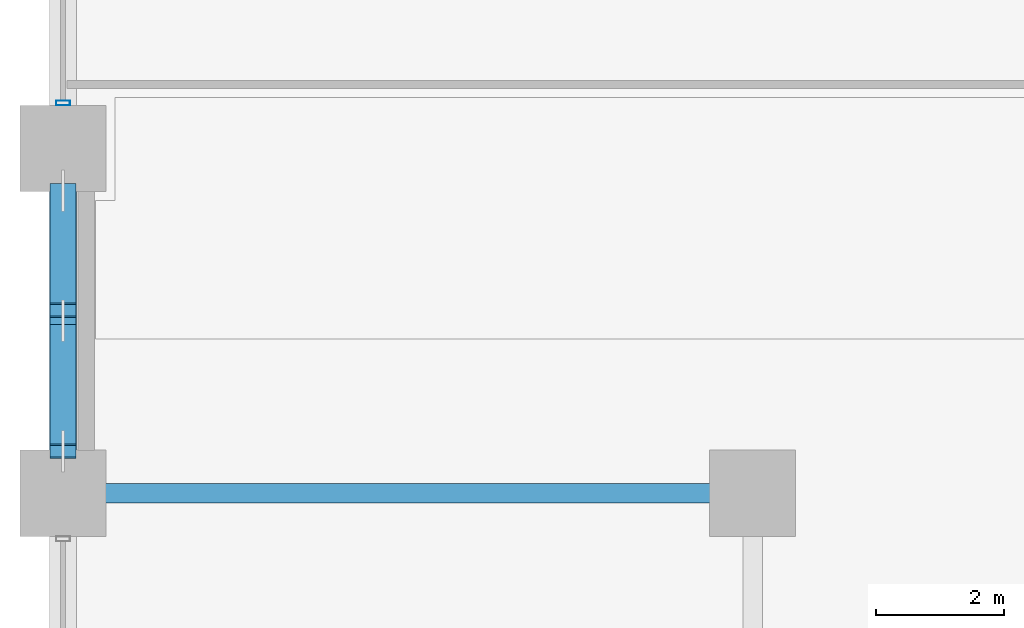
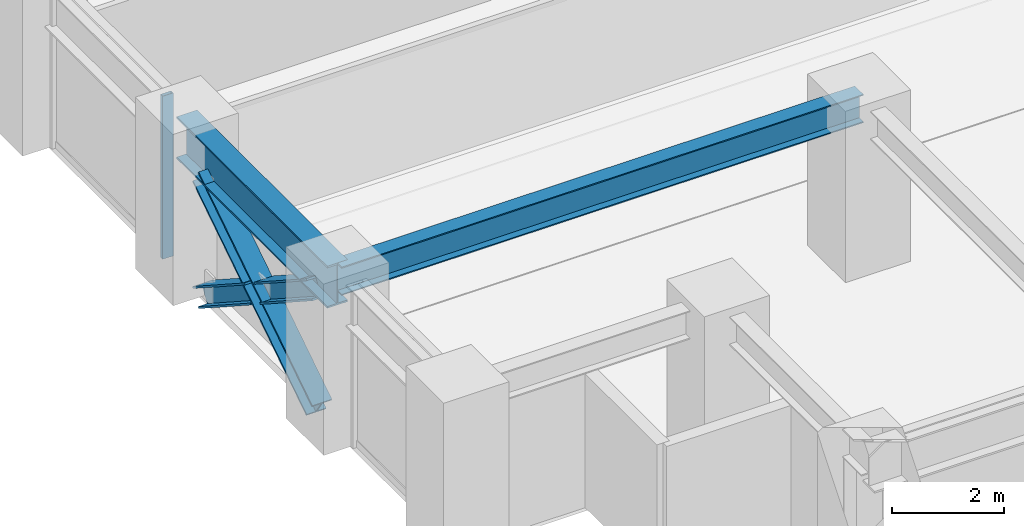
# One storey, part 3 of 25: 4 members, 2 beams, 1 element without a shape of its own.
"""IFC4 building model written with IfcOpenShell, lengths in metres."""

import ifcopenshell
import ifcopenshell.guid

model = None  # the IFC model being written
_history = None  # IfcOwnerHistory: only IFC2X3 demands one
_inside = {}  # id of a spatial element -> (the spatial element, [elements in it])
_under = {}  # id of a project, library or spatial element -> (it, [spatial elements below it])
_declared = {}  # id of a project -> (the project, [libraries it declares])
_typed = {}  # id of a type object -> (the type object, [elements of that type])
_made_of = {}  # id of a material, layer set ... -> (it, [elements and type objects made of it])


def new_model(schema):
    """Start an empty IFC model of exactly this schema.

    Asked for "IFC4X3", IfcOpenShell would pick the latest addendum, in which some entities
    have other attributes; the version numbers below select the first issue.
    IFC2X3 requires an IfcOwnerHistory on every rooted entity: one is made here for all.
    """
    global model, _history
    if schema == "IFC4X3":
        model = ifcopenshell.file(schema_version=(4, 3, 0, 0))
    else:
        model = ifcopenshell.file(schema=schema)
    _inside.clear()
    _under.clear()
    _declared.clear()
    _typed.clear()
    _made_of.clear()
    _history = None
    if model.schema == "IFC2X3":
        org = make("IfcOrganization", Name="unknown")
        user = make(
            "IfcPersonAndOrganization",
            ThePerson=make("IfcPerson", FamilyName="unknown"),
            TheOrganization=org,
        )
        app = make(
            "IfcApplication",
            ApplicationDeveloper=org,
            Version="unknown",
            ApplicationFullName="unknown",
            ApplicationIdentifier="unknown",
        )
        _history = make(
            "IfcOwnerHistory",
            OwningUser=user,
            OwningApplication=app,
            ChangeAction="ADDED",
            CreationDate=0,
        )
    return model


def make(cls, **values):
    """One entity of the class cls with the attributes given. An attribute that is None is left unset."""
    return model.create_entity(
        cls, **{name: value for name, value in values.items() if value is not None}
    )


def rooted(cls, **values):
    """An entity with a GlobalId (a new one), such as an element, a storey or a relation."""
    return make(cls, GlobalId=ifcopenshell.guid.new(), OwnerHistory=_history, **values)


def si_unit(unit_type, name, prefix=None):
    """IfcSIUnit, for example si_unit("LENGTHUNIT", "METRE", prefix="MILLI")."""
    return make("IfcSIUnit", UnitType=unit_type, Prefix=prefix, Name=name)


def assignment(units):
    """IfcUnitAssignment: the units of a project."""
    return None if units is None else make("IfcUnitAssignment", Units=units)


def point(xyz):
    """IfcCartesianPoint."""
    return None if xyz is None else make("IfcCartesianPoint", Coordinates=xyz)


def direction(xyz):
    """IfcDirection."""
    return None if xyz is None else make("IfcDirection", DirectionRatios=xyz)


def frame(location, z_axis=None, x_axis=None):
    """IfcAxis2Placement3D, a coordinate frame: its origin and axes. An axis left out is left unset."""
    return make(
        "IfcAxis2Placement3D",
        Location=point(location),
        Axis=direction(z_axis),
        RefDirection=direction(x_axis),
    )


def frame_2d(location, x_axis=None):
    """IfcAxis2Placement2D, a coordinate frame in the plane: its origin and x axis."""
    return make(
        "IfcAxis2Placement2D", Location=point(location), RefDirection=direction(x_axis)
    )


def origin():
    """The frame at (0, 0, 0) with its axes left unset."""
    return frame((0.0, 0.0, 0.0))


def origin_2d():
    """The frame at (0, 0) in the plane with its x axis left unset."""
    return frame_2d((0.0, 0.0))


def place(relative_to, where):
    """IfcLocalPlacement: puts the frame where relative to a parent placement (None: the world)."""
    return make(
        "IfcLocalPlacement", PlacementRelTo=relative_to, RelativePlacement=where
    )


def context(
    kind, dimensions, precision=None, world=None, true_north=None, identifier=None
):
    """IfcGeometricRepresentationContext, for example the 3D "Model" context."""
    return make(
        "IfcGeometricRepresentationContext",
        ContextIdentifier=identifier,
        ContextType=kind,
        CoordinateSpaceDimension=dimensions,
        Precision=precision,
        WorldCoordinateSystem=world,
        TrueNorth=true_north,
    )


def subcontext(parent, identifier, kind, view, scale=None):
    """IfcGeometricRepresentationSubContext, for example "Body" below "Model"."""
    return make(
        "IfcGeometricRepresentationSubContext",
        ContextIdentifier=identifier,
        ContextType=kind,
        ParentContext=parent,
        TargetScale=scale,
        TargetView=view,
    )


def project(units=None, contexts=None):
    """IfcProject with its units and contexts."""
    return rooted(
        "IfcProject",
        Name="project",
        RepresentationContexts=contexts,
        UnitsInContext=assignment(units),
    )


def spatial(cls, under=None, at=None, **own):
    """A site, building, storey or space (cls), placed at a placement, below another one or the project."""
    s = rooted(cls, ObjectPlacement=at, **own)
    if under is not None:
        _under.setdefault(under.id(), (under, []))[1].append(s)
    return s


def profile(cls, at=None, kind="AREA", **sizes):
    """A parametric profile (cls). Its sizes go by their IFC names, for example OverallWidth=200.0."""
    return make(cls, ProfileType=kind, Position=at, **sizes)


def hollow_rectangle(**sizes):
    """IfcRectangleHollowProfileDef."""
    return profile("IfcRectangleHollowProfileDef", **sizes)


def i_section(**sizes):
    """IfcIShapeProfileDef."""
    return profile("IfcIShapeProfileDef", **sizes)


def extrude(swept, where, along, depth):
    """IfcExtrudedAreaSolid: the profile swept, set in the frame where, extruded along a direction by depth."""
    return make(
        "IfcExtrudedAreaSolid",
        SweptArea=swept,
        Position=where,
        ExtrudedDirection=direction(along),
        Depth=depth,
    )


def shape(context_of_items, identifier, shape_type, items):
    """IfcShapeRepresentation: the items that make up one representation, for example the "Body"."""
    return make(
        "IfcShapeRepresentation",
        ContextOfItems=context_of_items,
        RepresentationIdentifier=identifier,
        RepresentationType=shape_type,
        Items=items,
    )


def material(Name=None, Category=None):
    """IfcMaterial."""
    return make("IfcMaterial", Name=Name, Category=Category)


def layer(
    of_material, thickness, ventilated=None, Name=None, Category=None, Priority=None
):
    """IfcMaterialLayer: one layer of a wall or slab, of a material (None: an air gap)."""
    return make(
        "IfcMaterialLayer",
        Material=of_material,
        LayerThickness=thickness,
        IsVentilated=ventilated,
        Name=Name,
        Category=Category,
        Priority=Priority,
    )


def layer_set(layers, Name=None):
    """IfcMaterialLayerSet."""
    return make("IfcMaterialLayerSet", MaterialLayers=layers, LayerSetName=Name)


def material_profile(
    of_material, cross_section, Name=None, Category=None, Priority=None
):
    """IfcMaterialProfile: a cross section and its material."""
    return make(
        "IfcMaterialProfile",
        Name=Name,
        Material=of_material,
        Profile=cross_section,
        Priority=Priority,
        Category=Category,
    )


def profile_set(profiles, Name=None, composite=None):
    """IfcMaterialProfileSet."""
    return make(
        "IfcMaterialProfileSet",
        Name=Name,
        MaterialProfiles=profiles,
        CompositeProfile=composite,
    )


def made_of(thing, what):
    """Note that an element or type object is made of a material, layer set ...; save() writes the relation."""
    if what is not None:
        _made_of.setdefault(what.id(), (what, []))[1].append(thing)
    return thing


def type_object(cls, material=None, **own):
    """A type object (cls), such as IfcWallType, which elements share."""
    return made_of(rooted(cls, **own), material)


def element(
    cls,
    number,
    at=None,
    inside=None,
    cuts=None,
    type_object=None,
    material=None,
    context=None,
    identifier="Body",
    shape_type=None,
    held_by="IfcProductDefinitionShape",
    body=None,
    shapes=None,
    **own,
):
    """One element of the class cls, such as IfcWall. Its Tag is "e" and its number.

    at: its placement. inside: the storey or other place that contains it. cuts: it is an
    opening in that element (IfcRelVoidsElement). A single representation is given by context,
    identifier, shape_type and body (its items); several are given by shapes. held_by: the class
    of the entity that holds the representations. save() writes the other relations.
    """
    e = rooted(cls, Tag="e%d" % number, ObjectPlacement=at, **own)
    if body is not None:
        shapes = [shape(context, identifier, shape_type, body)]
    if shapes is not None:
        e.Representation = make(held_by, Representations=shapes)
    if inside is not None:
        _inside.setdefault(inside.id(), (inside, []))[1].append(e)
    if cuts is not None:
        rooted(
            "IfcRelVoidsElement", RelatingBuildingElement=cuts, RelatedOpeningElement=e
        )
    if type_object is not None:
        _typed.setdefault(type_object.id(), (type_object, []))[1].append(e)
    return made_of(e, material)


def aggregate(whole, parts):
    """IfcRelAggregates: a whole, such as a stair, and the parts it consists of."""
    return rooted("IfcRelAggregates", RelatingObject=whole, RelatedObjects=parts)


def save(model, path):
    """Write the relations noted so far, then the file.

    IfcRelAggregates (storeys below a building ...), IfcRelContainedInSpatialStructure (elements
    in a storey), IfcRelDefinesByType, IfcRelAssociatesMaterial and IfcRelDeclares: one each for
    every whole, place, type object, material and project.
    """
    for whole, parts in _under.values():
        aggregate(whole, parts)
    for where, things in _inside.values():
        rooted(
            "IfcRelContainedInSpatialStructure",
            RelatedElements=things,
            RelatingStructure=where,
        )
    for kind, things in _typed.values():
        rooted("IfcRelDefinesByType", RelatedObjects=things, RelatingType=kind)
    for what, things in _made_of.values():
        rooted("IfcRelAssociatesMaterial", RelatedObjects=things, RelatingMaterial=what)
    for by, libraries in _declared.values():
        rooted("IfcRelDeclares", RelatingContext=by, RelatedDefinitions=libraries)
    model.write(path)


model = new_model("IFC4")

# Units and contexts
model_context = context("Model", 3, precision=1e-05, world=origin(), true_north=direction((0.0, 1.0)))
body_context = subcontext(model_context, "Body", "Model", "MODEL_VIEW")
ifc_project = project(units=[si_unit("LENGTHUNIT", "METRE"), si_unit("AREAUNIT", "SQUARE_METRE"), si_unit("VOLUMEUNIT", "CUBIC_METRE"), si_unit("PLANEANGLEUNIT", "RADIAN"), si_unit("MASSUNIT", "GRAM", prefix="KILO")], contexts=[model_context])

# Site, building, storey
site_placement = place(None, origin())
site = spatial("IfcSite", under=ifc_project, at=site_placement, CompositionType="ELEMENT")
building_placement = place(site_placement, origin())
building = spatial("IfcBuilding", under=site, at=building_placement, Name="Surkhivell Harbour Commons", CompositionType="ELEMENT")
storey_placement = place(building_placement, frame((0.0, 0.0, 41.25)))
storey = spatial("IfcBuildingStorey", under=building, at=storey_placement, Name="L10", CompositionType="ELEMENT", Elevation=41.25)

# Beams
ifc_material_1 = material(Name="Steel S355", Category="steel")
ifc_material_profile_1 = material_profile(ifc_material_1, i_section(OverallWidth=0.306884765625, OverallDepth=0.6201171875, WebThickness=0.01416015625, FlangeThickness=0.023681640625, at=origin_2d()), Name="UB610x305x179")
ifc_profile_set_1 = profile_set([ifc_material_profile_1], Name="Steel S355")
beam_type_1 = type_object("IfcBeamType", Name="BM-GRD-610A", PredefinedType="BEAM", material=ifc_profile_set_1)
beam_1_placement = place(storey_placement, frame((-32.39990234375, -16.199951171875, 3.260009765625), z_axis=(1.0, 0.0, 0.0), x_axis=(0.0, 1.0, 0.0)))
element("IfcBeam", 1, at=beam_1_placement, inside=storey, type_object=beam_type_1, Name="L10 Floor Girder (-32.4,-16.2)", PredefinedType="BEAM", context=body_context, shape_type="SweptSolid", body=[
    extrude(i_section(OverallWidth=0.306884765625, OverallDepth=0.6201171875, WebThickness=0.01416015625, FlangeThickness=0.023681640625, at=origin_2d()), origin(), (0.0, 0.0, 1.0), 10.7998046875),
])
ifc_material_2 = material(Name="Steel S460", Category="steel")
ifc_material_profile_2 = material_profile(ifc_material_2, i_section(OverallWidth=0.419921875, OverallDepth=0.9208984375, WebThickness=0.021484375, FlangeThickness=0.03662109375, at=origin_2d()), Name="UB914x419x388")
ifc_profile_set_2 = profile_set([ifc_material_profile_2], Name="Steel S460")
beam_type_2 = type_object("IfcBeamType", Name="BM-SPN-914A", PredefinedType="SPANDREL", material=ifc_profile_set_2)
beam_2_placement = place(storey_placement, frame((-32.39990234375, -16.199951171875, 3.109619140625), z_axis=(0.0, 1.0, 0.0), x_axis=(-1.0, 0.0, 0.0)))
element("IfcBeam", 2, at=beam_2_placement, inside=storey, type_object=beam_type_2, Name="L10 Tube Spandrel (-32.4,-16.2)", PredefinedType="SPANDREL", context=body_context, shape_type="SweptSolid", body=[
    extrude(i_section(OverallWidth=0.419921875, OverallDepth=0.9208984375, WebThickness=0.021484375, FlangeThickness=0.03662109375, at=origin_2d()), origin(), (0.0, 0.0, 1.0), 5.39990234375),
])

# Curtain wall, member
ifc_material_3 = material(Name="Anodised pale-metal aluminium and insulated glazing", Category="aluminium")
ifc_layer = layer(ifc_material_3, 0.219970703125)
ifc_layer_set = layer_set([ifc_layer], Name="Anodised pale-metal aluminium and insulated glazing")
curtain_wall_type = type_object("IfcCurtainWallType", Name="CW-SYS-Z1", PredefinedType="NOTDEFINED", material=ifc_layer_set)
curtain_wall_placement = place(storey_placement, origin())
curtain_wall = element("IfcCurtainWall", 3, at=curtain_wall_placement, inside=storey, type_object=curtain_wall_type, Name="L10 Curtain Wall CW-L10-E12S1", PredefinedType="NOTDEFINED")
ifc_material_4 = material(Name="Anodised pale-metal aluminium alloy 6063-T6", Category="aluminium")
ifc_material_profile_3 = material_profile(ifc_material_4, hollow_rectangle(XDim=0.074951171875, YDim=0.219970703125, WallThickness=0.00390625, at=origin_2d()), Name="ALU-MULL-75x220")
ifc_profile_set_3 = profile_set([ifc_material_profile_3], Name="Anodised pale-metal aluminium alloy 6063-T6")
member_type_1 = type_object("IfcMemberType", Name="CWM-220", PredefinedType="MULLION", material=ifc_profile_set_3)
member_1_placement = place(storey_placement, frame((-32.39990234375, -10.08544921875, 0.0), z_axis=(0.0, 0.0, 1.0), x_axis=(0.0, -1.0, 0.0)))
member_1 = element("IfcMember", 4, at=member_1_placement, type_object=member_type_1, Name="CW-Z1 mullion 7", PredefinedType="MULLION", context=body_context, shape_type="SweptSolid", body=[
    extrude(hollow_rectangle(XDim=0.074951171875, YDim=0.219970703125, WallThickness=0.00390625, at=origin_2d()), origin(), (0.0, 0.0, 1.0), 3.570068359375),
])
aggregate(curtain_wall, [member_1])

# Members
ifc_material_profile_4 = material_profile(ifc_material_2, i_section(OverallWidth=0.406005859375, OverallDepth=0.416015625, WebThickness=0.026611328125, FlangeThickness=0.0390625, at=origin_2d()), Name="HD400x382")
ifc_profile_set_4 = profile_set([ifc_material_profile_4], Name="Steel S460")
member_type_2 = type_object("IfcMemberType", Name="MEM-BRC-HD382", PredefinedType="BRACE", material=ifc_profile_set_4)
member_2_placement = place(storey_placement, frame((-32.39990234375, -15.5400390625, 0.008056640625), z_axis=(0.0, 0.83910375559, 0.543971403067), x_axis=(-1.0, 0.0, 0.0)))
element("IfcMember", 5, at=member_2_placement, inside=storey, type_object=member_type_2, Name="L10 Perimeter Mega-Brace MB- 10", PredefinedType="BRACE", context=body_context, shape_type="SweptSolid", body=[
    extrude(i_section(OverallWidth=0.406005859375, OverallDepth=0.416015625, WebThickness=0.026611328125, FlangeThickness=0.0390625, at=origin_2d()), origin(), (0.0, 0.0, 1.0), 4.8623046875),
])
for number, where, z_axis, x_axis, name in (
    (6, (-32.39990234375, -11.4599609375, 0.008056640625), (0.0, -0.839117847051, 0.54394966565), (1.0, 0.0, 0.0), "L10 Perimeter Mega-Brace MB- 11"),
    (7, (-32.39990234375, -13.66748046875, 1.439208984375), (0.0, -0.839117847051, 0.54394966565), (1.0, 0.0, 0.0), "L10 Perimeter Mega-Brace MB- 12"),
):
    element("IfcMember", number, at=place(storey_placement, frame(where, z_axis=z_axis, x_axis=x_axis)), inside=storey, type_object=member_type_2, Name=name, PredefinedType="BRACE", context=body_context, shape_type="SweptSolid", body=[
        extrude(i_section(OverallWidth=0.406005859375, OverallDepth=0.416015625, WebThickness=0.026611328125, FlangeThickness=0.0390625, at=origin_2d()), origin(), (0.0, 0.0, 1.0), 2.231689453125),
    ])

save(model, "model.ifc")
